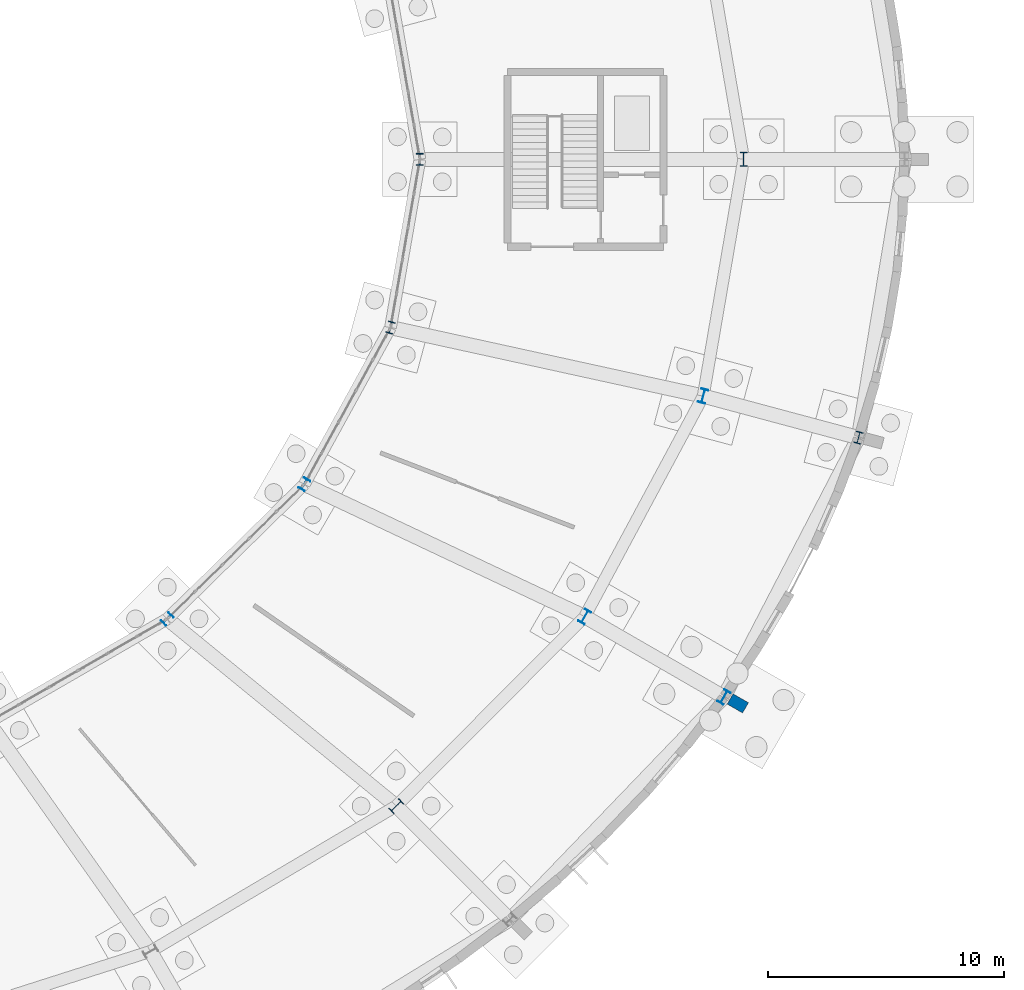
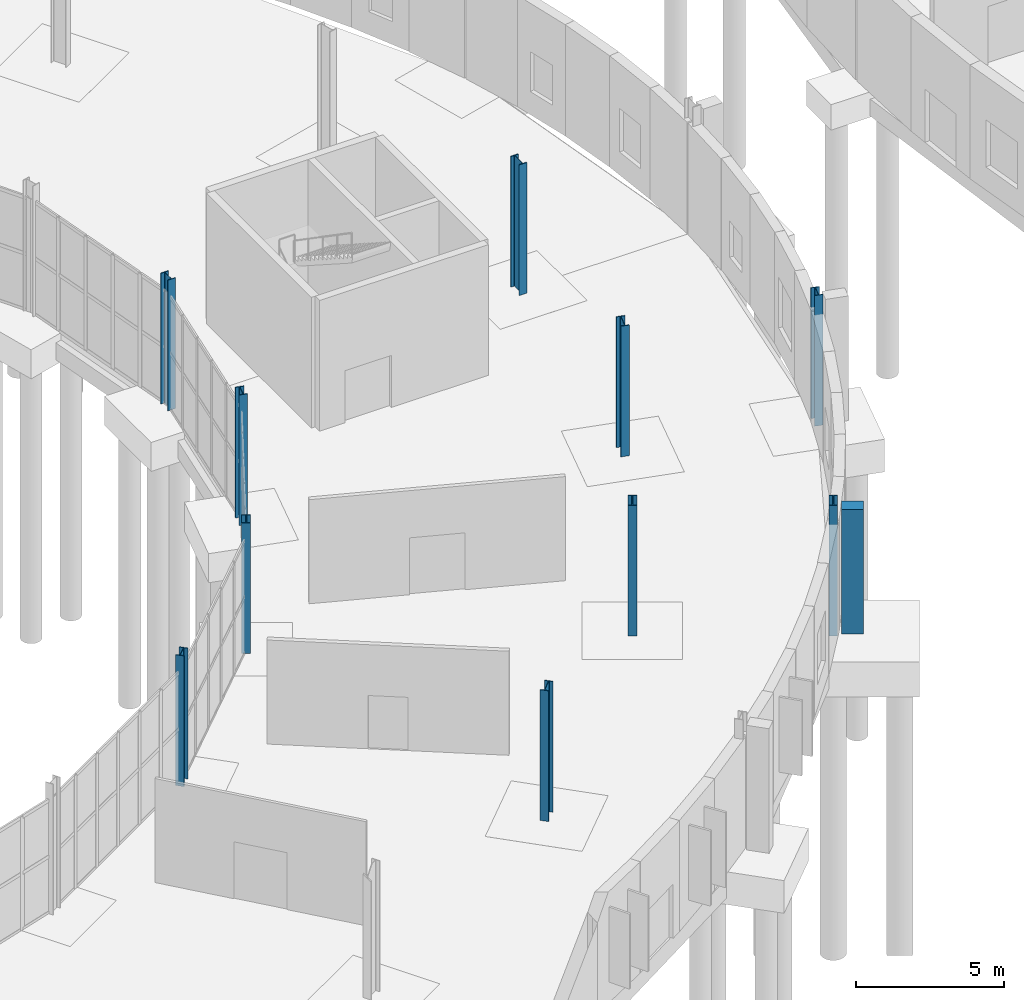
# One storey, part 38 of 118: 11 columns.
"""IFC4 building model written with IfcOpenShell, lengths in metres."""

from ifc_helpers import new_model, si_unit, direction, frame, origin, origin_2d, place, context, subcontext, project, spatial, rectangle, i_section, extrude, material, material_profile, profile_set, type_object, element, save


model = new_model("IFC4")

# Units and contexts
model_context = context("Model", 3, precision=1e-05, world=origin(), true_north=direction((0.0, 1.0)))
body_context = subcontext(model_context, "Body", "Model", "MODEL_VIEW")
ifc_project = project(units=[si_unit("LENGTHUNIT", "METRE"), si_unit("AREAUNIT", "SQUARE_METRE"), si_unit("VOLUMEUNIT", "CUBIC_METRE"), si_unit("PLANEANGLEUNIT", "RADIAN"), si_unit("MASSUNIT", "GRAM", prefix="KILO")], contexts=[model_context])

# Site, building, storey
site_placement = place(None, origin())
site = spatial("IfcSite", under=ifc_project, at=site_placement, CompositionType="ELEMENT")
building_placement = place(site_placement, origin())
building = spatial("IfcBuilding", under=site, at=building_placement, Name="Kildeholm Park Wholesale Market", CompositionType="ELEMENT")
storey_placement = place(building_placement, origin())
storey = spatial("IfcBuildingStorey", under=building, at=storey_placement, Name="L00", CompositionType="ELEMENT", Elevation=0.0)

# Columns
ifc_material_1 = material(Name="Steel S355", Category="steel")
ifc_material_profile_1 = material_profile(ifc_material_1, i_section(OverallWidth=0.300048828125, OverallDepth=0.5, WebThickness=0.014404296875, FlangeThickness=0.028076171875, FilletRadius=0.027099609375, at=origin_2d()), Name="HEB 500")
ifc_profile_set_1 = profile_set([ifc_material_profile_1], Name="Steel S355")
column_type_1 = type_object("IfcColumnType", Name="Column C-S07 HEB 500", PredefinedType="COLUMN", material=ifc_profile_set_1)
for number, where, z_axis, x_axis, name in (
    (1, (135.5, 89.5, 0.0), (0.0, 0.0, 1.0), (1.0, 0.0, 0.0), "Column V1-IN-00 L00 COL-0001"),
    (2, (124.80908203125, 70.054931640625, 0.0), (0.0, 0.0, 1.0), (0.707106781187, -0.707106781187, 0.0), "Column V1-IN-21 L00 COL-0190"),
    (3, (130.610107421875, 75.75, 0.0), (0.0, 0.0, 1.0), (0.866025403784, -0.5, 0.0), "Column V1-IN-22 L00 COL-0199"),
    (4, (134.256103515625, 82.382080078125, 0.0), (0.0, 0.0, 1.0), (0.965925826289, -0.258819045103, 0.0), "Column V1-IN-23 L00 COL-0208"),
    (5, (154.05810546875, 77.72412109375, 0.0), (0.0, 0.0, 1.0), (0.965925826289, -0.258819045103, 0.0), "Column V1-OT-23 L00 COL-0214"),
):
    element("IfcColumn", number, at=place(storey_placement, frame(where, z_axis=z_axis, x_axis=x_axis)), inside=storey, type_object=column_type_1, Name=name, PredefinedType="COLUMN", context=body_context, shape_type="SweptSolid", body=[
        extrude(i_section(OverallWidth=0.300048828125, OverallDepth=0.5, WebThickness=0.014404296875, FlangeThickness=0.028076171875, FilletRadius=0.027099609375, at=origin_2d()), origin(), (0.0, 0.0, 1.0), 5.39990234375),
    ])
ifc_material_profile_2 = material_profile(ifc_material_1, i_section(OverallWidth=0.300048828125, OverallDepth=0.60009765625, WebThickness=0.015380859375, FlangeThickness=0.030029296875, FilletRadius=0.027099609375, at=origin_2d()), Name="HEB 600")
ifc_profile_set_2 = profile_set([ifc_material_profile_2], Name="Steel S355")
column_type_2 = type_object("IfcColumnType", Name="Column C-S08 HEB 600", PredefinedType="COLUMN", material=ifc_profile_set_2)
for number, where, z_axis, x_axis, name in (
    (6, (149.199951171875, 89.5, 0.0), (0.0, 0.0, 1.0), (1.0, 0.0, 0.0), "Column V1-MD-00 L00 COL-0004"),
    (7, (134.4970703125, 62.135009765625, 0.0), (0.0, 0.0, 1.0), (0.707106781187, -0.707106781187, 0.0), "Column V1-MD-21 L00 COL-0193"),
    (8, (142.47412109375, 70.14990234375, 0.0), (0.0, 0.0, 1.0), (0.866025403784, -0.5, 0.0), "Column V1-MD-22 L00 COL-0202"),
    (9, (148.363037109375, 66.75, 0.0), (0.0, 0.0, 1.0), (0.866025403784, -0.5, 0.0), "Column V1-OT-22 L00 COL-0205"),
    (10, (147.489013671875, 79.48388671875, 0.0), (0.0, 0.0, 1.0), (0.965925826289, -0.258819045103, 0.0), "Column V1-MD-23 L00 COL-0211"),
):
    element("IfcColumn", number, at=place(storey_placement, frame(where, z_axis=z_axis, x_axis=x_axis)), inside=storey, type_object=column_type_2, Name=name, PredefinedType="COLUMN", context=body_context, shape_type="SweptSolid", body=[
        extrude(i_section(OverallWidth=0.300048828125, OverallDepth=0.60009765625, WebThickness=0.015380859375, FlangeThickness=0.030029296875, FilletRadius=0.027099609375, at=origin_2d()), origin(), (0.0, 0.0, 1.0), 5.39990234375),
    ])
ifc_material_2 = material(Name="Precast concrete C40/50", Category="concrete")
ifc_material_profile_3 = material_profile(ifc_material_2, rectangle(XDim=0.75, YDim=0.5, at=origin_2d()), Name="PIL 750x500")
ifc_profile_set_3 = profile_set([ifc_material_profile_3], Name="Precast concrete C40/50")
column_type_3 = type_object("IfcColumnType", Name="Column PL-M02 PIL 750x500", PredefinedType="PILASTER", material=ifc_profile_set_3)
column_placement = place(storey_placement, frame((148.952880859375, 66.47802734375, 0.0), z_axis=(0.0, 0.0, 1.0), x_axis=(0.866025403784, -0.5, 0.0)))
element("IfcColumn", 11, at=column_placement, inside=storey, type_object=column_type_3, Name="Market ring pilaster 23 COL-0207", PredefinedType="PILASTER", context=body_context, shape_type="SweptSolid", body=[
    extrude(rectangle(XDim=0.75, YDim=0.5, at=origin_2d()), origin(), (0.0, 0.0, 1.0), 5.14990234375),
])

save(model, "model.ifc")
